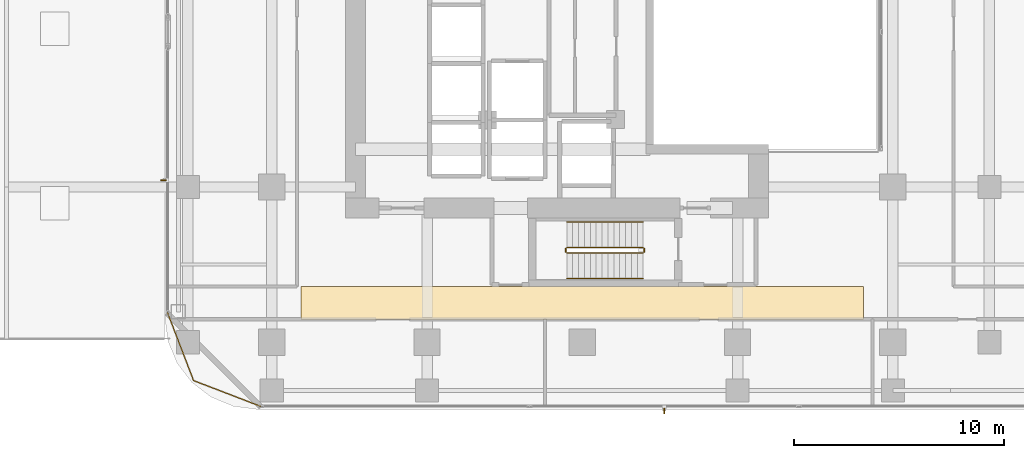
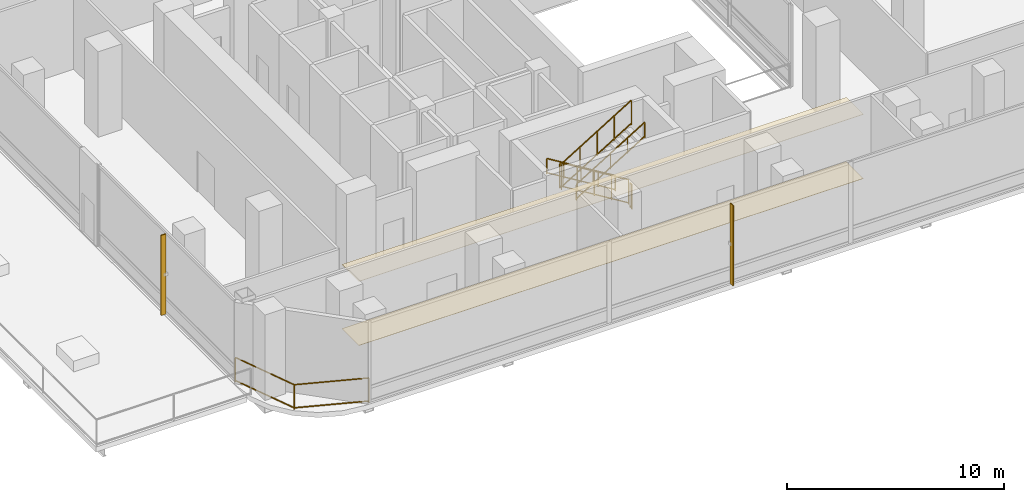
# One storey, part 24 of 28: 7 railings, 2 coverings, 2 shading devices.
"""IFC4 building model written with IfcOpenShell, lengths in metres."""

from ifc_helpers import new_model, si_unit, direction, frame, origin, origin_2d, place, context, subcontext, project, spatial, polyline, rectangle, outline, extrude, material, layer, layer_set, type_object, element, save


model = new_model("IFC4")

# Units and contexts
model_context = context("Model", 3, precision=1e-05, world=origin(), true_north=direction((0.0, 1.0)))
body_context = subcontext(model_context, "Body", "Model", "MODEL_VIEW")
ifc_project = project(units=[si_unit("LENGTHUNIT", "METRE"), si_unit("AREAUNIT", "SQUARE_METRE"), si_unit("VOLUMEUNIT", "CUBIC_METRE"), si_unit("PLANEANGLEUNIT", "RADIAN"), si_unit("MASSUNIT", "GRAM", prefix="KILO")], contexts=[model_context])

# Site, building, storey
site_placement = place(None, origin())
site = spatial("IfcSite", under=ifc_project, at=site_placement, CompositionType="ELEMENT")
building_placement = place(site_placement, origin())
building = spatial("IfcBuilding", under=site, at=building_placement, Name="Khorvyn Point Tower", CompositionType="ELEMENT")
storey_placement = place(building_placement, frame((0.0, 0.0, 108.60009765625)))
storey = spatial("IfcBuildingStorey", under=building, at=storey_placement, Name="L27", CompositionType="ELEMENT", Elevation=108.60009765625)

# Railing
ifc_material_1 = material(Name="Anodised aluminium 6063-T6 and laminated safety glass", Category="aluminium")
railing_type_1 = type_object("IfcRailingType", Name="Laminated Glass and Aluminium Balcony Guardrail 1400", PredefinedType="BALUSTRADE", material=ifc_material_1)
railing_1_placement = place(storey_placement, frame((-19.774169921875, -13.3759765625, 0.0)))
element("IfcRailing", 1, at=railing_1_placement, inside=storey, type_object=railing_type_1, Name="L27 Rounded Corner Edge Guardrail SW", PredefinedType="BALUSTRADE", context=body_context, shape_type="SweptSolid", body=[
    extrude(rectangle(XDim=0.048095703125, YDim=0.048095703125, at=origin_2d()), frame((0.0, 0.0, 1.3759765625), z_axis=(0.358382264808, -0.933574931257, 0.0), x_axis=(0.933574931257, 0.358382264808, 0.0)), (0.0, 0.0, 1.0), 3.481689453125),
    extrude(rectangle(XDim=0.048095703125, YDim=0.048095703125, at=origin_2d()), frame((0.0, 0.0, 0.080078125), z_axis=(0.358382264808, -0.933574931257, 0.0), x_axis=(0.933574931257, 0.358382264808, 0.0)), (0.0, 0.0, 1.0), 3.481689453125),
    extrude(rectangle(XDim=0.048095703125, YDim=0.048095703125, at=origin_2d()), frame((1.247802734375, -3.25048828125, 1.3759765625), z_axis=(0.933598390295, -0.358321148746, 0.0), x_axis=(0.358321148746, 0.933598390295, 0.0)), (0.0, 0.0, 1.0), 3.481689453125),
    extrude(rectangle(XDim=0.048095703125, YDim=0.048095703125, at=origin_2d()), frame((1.247802734375, -3.25048828125, 0.080078125), z_axis=(0.933598390295, -0.358321148746, 0.0), x_axis=(0.358321148746, 0.933598390295, 0.0)), (0.0, 0.0, 1.0), 3.481689453125),
    extrude(rectangle(XDim=0.0419921875, YDim=0.0419921875, at=origin_2d()), origin(), (0.0, 0.0, 1.0), 1.351806640625),
    extrude(rectangle(XDim=0.0419921875, YDim=0.0419921875, at=origin_2d()), frame((1.247802734375, -3.25048828125, 0.0)), (0.0, 0.0, 1.0), 1.351806640625),
    extrude(rectangle(XDim=0.0419921875, YDim=0.0419921875, at=origin_2d()), frame((4.498291015625, -4.498046875, 0.0)), (0.0, 0.0, 1.0), 1.351806640625),
])

# Shading devices
ifc_material_2 = material(Name="Pale anodised aluminium 6063-T6", Category="aluminium")
ifc_layer_1 = layer(ifc_material_2, 0.054931640625)
ifc_layer_set_1 = layer_set([ifc_layer_1], Name="Pale Anodised Aluminium FIN 260x55")
shading_device_type = type_object("IfcShadingDeviceType", Name="Pale Anodised Aluminium FIN 260x55", PredefinedType="USERDEFINED", material=ifc_layer_set_1)
for number, where, z_axis, x_axis, name in (
    (2, (3.89990234375, -18.070068359375, 0.039794921875), (0.0, 0.0, 1.0), (0.0, -1.0, 0.0), "L27 Anodised FIN 01"),
    (3, (-19.969970703125, -7.0849609375, 0.039794921875), (0.0, 0.0, 1.0), (-1.0, 0.0, 0.0), "L27 Anodised FIN 01"),
):
    element("IfcShadingDevice", number, at=place(storey_placement, frame(where, z_axis=z_axis, x_axis=x_axis)), inside=storey, type_object=shading_device_type, Name=name, ObjectType="FIN", PredefinedType="USERDEFINED", context=body_context, shape_type="SweptSolid", body=[
        extrude(rectangle(XDim=0.260009765625, YDim=0.054931640625, at=origin_2d()), origin(), (0.0, 0.0, 1.0), 4.5),
    ])

# Coverings
ifc_material_3 = material(Name="Mineral-fibre acoustic ceiling board", Category="gypsum")
ifc_layer_2 = layer(ifc_material_3, 0.02001953125)
ifc_layer_set_2 = layer_set([ifc_layer_2], Name="Perforated Mineral-Fibre Acoustic Suspended Ceiling 20")
covering_type_1 = type_object("IfcCoveringType", Name="Perforated Mineral-Fibre Acoustic Suspended Ceiling 20", PredefinedType="CEILING", material=ifc_layer_set_2)
covering_1_placement = place(storey_placement, frame((0.0, 0.0, 3.599853515625)))
element("IfcCovering", 4, at=covering_1_placement, inside=storey, type_object=covering_type_1, Name="L27 South Corridor Acoustic Ceiling", PredefinedType="CEILING", context=body_context, shape_type="SweptSolid", body=[
    extrude(outline(polyline([(-13.39990234375, -13.7099609375), (13.39990234375, -13.7099609375), (13.39990234375, -12.139892578125), (-13.39990234375, -12.139892578125), (-13.39990234375, -13.7099609375)])), origin(), (0.0, 0.0, 1.0), 0.02001953125),
])
ifc_material_4 = material(Name="Vitrified porcelain terrazzo tile", Category="ceramic")
ifc_layer_3 = layer(ifc_material_4, 0.01806640625)
ifc_layer_set_3 = layer_set([ifc_layer_3], Name="Porcelain Terrazzo Corridor Floor Finish Tile 18")
covering_type_2 = type_object("IfcCoveringType", Name="Porcelain Terrazzo Corridor Floor Finish Tile 18", PredefinedType="FLOORING", material=ifc_layer_set_3)
covering_2_placement = place(storey_placement, origin())
element("IfcCovering", 5, at=covering_2_placement, inside=storey, type_object=covering_type_2, Name="L27 South Corridor Terrazzo Flooring", PredefinedType="FLOORING", context=body_context, shape_type="SweptSolid", body=[
    extrude(outline(polyline([(-13.39990234375, -13.7099609375), (13.39990234375, -13.7099609375), (13.39990234375, -12.139892578125), (-13.39990234375, -12.139892578125), (-13.39990234375, -13.7099609375)])), origin(), (0.0, 0.0, 1.0), 0.017822265625),
])

# Railings
ifc_material_5 = material(Name="Stainless steel 1.4301", Category="steel")
railing_type_2 = type_object("IfcRailingType", Name="Stainless Steel 304 Stair Pitch Handrail 900", PredefinedType="HANDRAIL", material=ifc_material_5)
railing_2_placement = place(storey_placement, frame((2.89990234375, -9.070068359375, 0.17138671875)))
element("IfcRailing", 6, at=railing_2_placement, inside=storey, type_object=railing_type_2, Name="L27 ST-01 stair handrail 1", PredefinedType="HANDRAIL", context=body_context, shape_type="SweptSolid", body=[
    extrude(rectangle(XDim=0.048095703125, YDim=0.048095703125, at=origin_2d()), frame((0.0, 0.0, 0.8759765625), z_axis=(-0.852850264322, 0.0, 0.5221555579), x_axis=(0.0, -1.0, 0.0)), (0.0, 0.0, 1.0), 4.267822265625),
    extrude(rectangle(XDim=0.048095703125, YDim=0.048095703125, at=origin_2d()), frame((0.0, 0.0, 0.080078125), z_axis=(-0.852850264322, 0.0, 0.5221555579), x_axis=(0.0, -1.0, 0.0)), (0.0, 0.0, 1.0), 4.267822265625),
    extrude(rectangle(XDim=0.0419921875, YDim=0.0419921875, at=origin_2d()), origin(), (0.0, 0.0, 1.0), 0.851806640625),
    extrude(rectangle(XDim=0.0419921875, YDim=0.0419921875, at=origin_2d()), frame((-0.909912109375, 0.0, 0.55712890625)), (0.0, 0.0, 1.0), 0.851806640625),
    extrude(rectangle(XDim=0.0419921875, YDim=0.0419921875, at=origin_2d()), frame((-1.81982421875, 0.0, 1.1142578125)), (0.0, 0.0, 1.0), 0.851806640625),
    extrude(rectangle(XDim=0.0419921875, YDim=0.0419921875, at=origin_2d()), frame((-2.72998046875, 0.0, 1.67138671875)), (0.0, 0.0, 1.0), 0.851806640625),
    extrude(rectangle(XDim=0.0419921875, YDim=0.0419921875, at=origin_2d()), frame((-3.639892578125, 0.0, 2.228515625)), (0.0, 0.0, 1.0), 0.851806640625),
])
railing_3_placement = place(storey_placement, frame((-0.739990234375, -11.77001953125, 2.5712890625)))
element("IfcRailing", 7, at=railing_3_placement, inside=storey, type_object=railing_type_2, Name="L27 ST-01 stair handrail 2", PredefinedType="HANDRAIL", context=body_context, shape_type="SweptSolid", body=[
    extrude(rectangle(XDim=0.048095703125, YDim=0.048095703125, at=origin_2d()), frame((0.0, 0.0, 0.8759765625), z_axis=(0.852850264322, 0.0, 0.5221555579), x_axis=(0.0, 1.0, 0.0)), (0.0, 0.0, 1.0), 4.267822265625),
    extrude(rectangle(XDim=0.048095703125, YDim=0.048095703125, at=origin_2d()), frame((0.0, 0.0, 0.080078125), z_axis=(0.852850264322, 0.0, 0.5221555579), x_axis=(0.0, 1.0, 0.0)), (0.0, 0.0, 1.0), 4.267822265625),
    extrude(rectangle(XDim=0.0419921875, YDim=0.0419921875, at=origin_2d()), origin(), (0.0, 0.0, 1.0), 0.851806640625),
    extrude(rectangle(XDim=0.0419921875, YDim=0.0419921875, at=origin_2d()), frame((0.909912109375, 0.0, 0.55712890625)), (0.0, 0.0, 1.0), 0.851806640625),
    extrude(rectangle(XDim=0.0419921875, YDim=0.0419921875, at=origin_2d()), frame((1.81982421875, 0.0, 1.1142578125)), (0.0, 0.0, 1.0), 0.851806640625),
    extrude(rectangle(XDim=0.0419921875, YDim=0.0419921875, at=origin_2d()), frame((2.72998046875, 0.0, 1.67138671875)), (0.0, 0.0, 1.0), 0.851806640625),
    extrude(rectangle(XDim=0.0419921875, YDim=0.0419921875, at=origin_2d()), frame((3.639892578125, 0.0, 2.228515625)), (0.0, 0.0, 1.0), 0.851806640625),
])
railing_type_3 = type_object("IfcRailingType", Name="Stainless Steel 304 Stair Well Guardrail 1400", PredefinedType="GUARDRAIL", material=ifc_material_5)
railing_4_placement = place(storey_placement, frame((2.89990234375, -10.2900390625, 0.17138671875)))
element("IfcRailing", 8, at=railing_4_placement, inside=storey, type_object=railing_type_3, Name="L27 ST-01 stair guard 1", PredefinedType="GUARDRAIL", context=body_context, shape_type="SweptSolid", body=[
    extrude(rectangle(XDim=0.048095703125, YDim=0.048095703125, at=origin_2d()), frame((0.0, 0.0, 1.3759765625), z_axis=(-0.852850264322, 0.0, 0.5221555579), x_axis=(0.0, -1.0, 0.0)), (0.0, 0.0, 1.0), 4.267822265625),
    extrude(rectangle(XDim=0.048095703125, YDim=0.048095703125, at=origin_2d()), frame((0.0, 0.0, 0.080078125), z_axis=(-0.852850264322, 0.0, 0.5221555579), x_axis=(0.0, -1.0, 0.0)), (0.0, 0.0, 1.0), 4.267822265625),
    extrude(rectangle(XDim=0.0419921875, YDim=0.0419921875, at=origin_2d()), origin(), (0.0, 0.0, 1.0), 1.351806640625),
    extrude(rectangle(XDim=0.0419921875, YDim=0.0419921875, at=origin_2d()), frame((-0.909912109375, 0.0, 0.55712890625)), (0.0, 0.0, 1.0), 1.351806640625),
    extrude(rectangle(XDim=0.0419921875, YDim=0.0419921875, at=origin_2d()), frame((-1.81982421875, 0.0, 1.1142578125)), (0.0, 0.0, 1.0), 1.351806640625),
    extrude(rectangle(XDim=0.0419921875, YDim=0.0419921875, at=origin_2d()), frame((-2.72998046875, 0.0, 1.67138671875)), (0.0, 0.0, 1.0), 1.351806640625),
    extrude(rectangle(XDim=0.0419921875, YDim=0.0419921875, at=origin_2d()), frame((-3.639892578125, 0.0, 2.228515625)), (0.0, 0.0, 1.0), 1.351806640625),
])
railing_5_placement = place(storey_placement, frame((-0.7900390625, -10.340087890625, 2.39990234375)))
element("IfcRailing", 9, at=railing_5_placement, inside=storey, type_object=railing_type_3, Name="L27 ST-01 stair guard 2", PredefinedType="GUARDRAIL", context=body_context, shape_type="SweptSolid", body=[
    extrude(rectangle(XDim=0.048095703125, YDim=0.048095703125, at=origin_2d()), frame((0.0, 0.0, 1.3759765625), z_axis=(0.0, -1.0, 0.0), x_axis=(1.0, 0.0, 0.0)), (0.0, 0.0, 1.0), 0.159912109375),
    extrude(rectangle(XDim=0.048095703125, YDim=0.048095703125, at=origin_2d()), frame((0.0, 0.0, 0.080078125), z_axis=(0.0, -1.0, 0.0), x_axis=(1.0, 0.0, 0.0)), (0.0, 0.0, 1.0), 0.159912109375),
    extrude(rectangle(XDim=0.0419921875, YDim=0.0419921875, at=origin_2d()), origin(), (0.0, 0.0, 1.0), 1.351806640625),
    extrude(rectangle(XDim=0.0419921875, YDim=0.0419921875, at=origin_2d()), frame((0.0, -0.159912109375, 0.0)), (0.0, 0.0, 1.0), 1.351806640625),
])
railing_6_placement = place(storey_placement, frame((-0.739990234375, -10.550048828125, 2.5712890625)))
element("IfcRailing", 10, at=railing_6_placement, inside=storey, type_object=railing_type_3, Name="L27 ST-01 stair guard 3", PredefinedType="GUARDRAIL", context=body_context, shape_type="SweptSolid", body=[
    extrude(rectangle(XDim=0.048095703125, YDim=0.048095703125, at=origin_2d()), frame((0.0, 0.0, 1.3759765625), z_axis=(0.852850264322, 0.0, 0.5221555579), x_axis=(0.0, 1.0, 0.0)), (0.0, 0.0, 1.0), 4.267822265625),
    extrude(rectangle(XDim=0.048095703125, YDim=0.048095703125, at=origin_2d()), frame((0.0, 0.0, 0.080078125), z_axis=(0.852850264322, 0.0, 0.5221555579), x_axis=(0.0, 1.0, 0.0)), (0.0, 0.0, 1.0), 4.267822265625),
    extrude(rectangle(XDim=0.0419921875, YDim=0.0419921875, at=origin_2d()), origin(), (0.0, 0.0, 1.0), 1.351806640625),
    extrude(rectangle(XDim=0.0419921875, YDim=0.0419921875, at=origin_2d()), frame((0.909912109375, 0.0, 0.55712890625)), (0.0, 0.0, 1.0), 1.351806640625),
    extrude(rectangle(XDim=0.0419921875, YDim=0.0419921875, at=origin_2d()), frame((1.81982421875, 0.0, 1.1142578125)), (0.0, 0.0, 1.0), 1.351806640625),
    extrude(rectangle(XDim=0.0419921875, YDim=0.0419921875, at=origin_2d()), frame((2.72998046875, 0.0, 1.67138671875)), (0.0, 0.0, 1.0), 1.351806640625),
    extrude(rectangle(XDim=0.0419921875, YDim=0.0419921875, at=origin_2d()), frame((3.639892578125, 0.0, 2.228515625)), (0.0, 0.0, 1.0), 1.351806640625),
])
railing_7_placement = place(storey_placement, frame((2.949951171875, -10.340087890625, 0.0)))
element("IfcRailing", 11, at=railing_7_placement, inside=storey, type_object=railing_type_3, Name="L27 ST-01 stair guard 4", PredefinedType="GUARDRAIL", context=body_context, shape_type="SweptSolid", body=[
    extrude(rectangle(XDim=0.048095703125, YDim=0.048095703125, at=origin_2d()), frame((0.0, 0.0, 1.3759765625), z_axis=(0.0, -1.0, 0.0), x_axis=(1.0, 0.0, 0.0)), (0.0, 0.0, 1.0), 0.159912109375),
    extrude(rectangle(XDim=0.048095703125, YDim=0.048095703125, at=origin_2d()), frame((0.0, 0.0, 0.080078125), z_axis=(0.0, -1.0, 0.0), x_axis=(1.0, 0.0, 0.0)), (0.0, 0.0, 1.0), 0.159912109375),
    extrude(rectangle(XDim=0.0419921875, YDim=0.0419921875, at=origin_2d()), origin(), (0.0, 0.0, 1.0), 1.351806640625),
    extrude(rectangle(XDim=0.0419921875, YDim=0.0419921875, at=origin_2d()), frame((0.0, -0.159912109375, 0.0)), (0.0, 0.0, 1.0), 1.351806640625),
])

save(model, "model.ifc")
